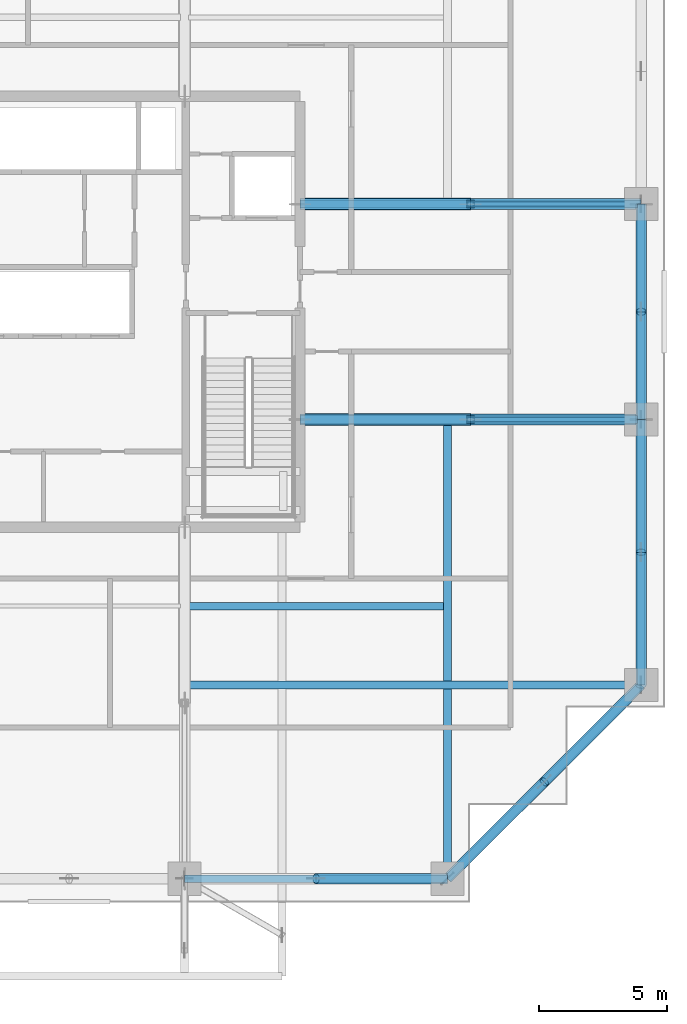
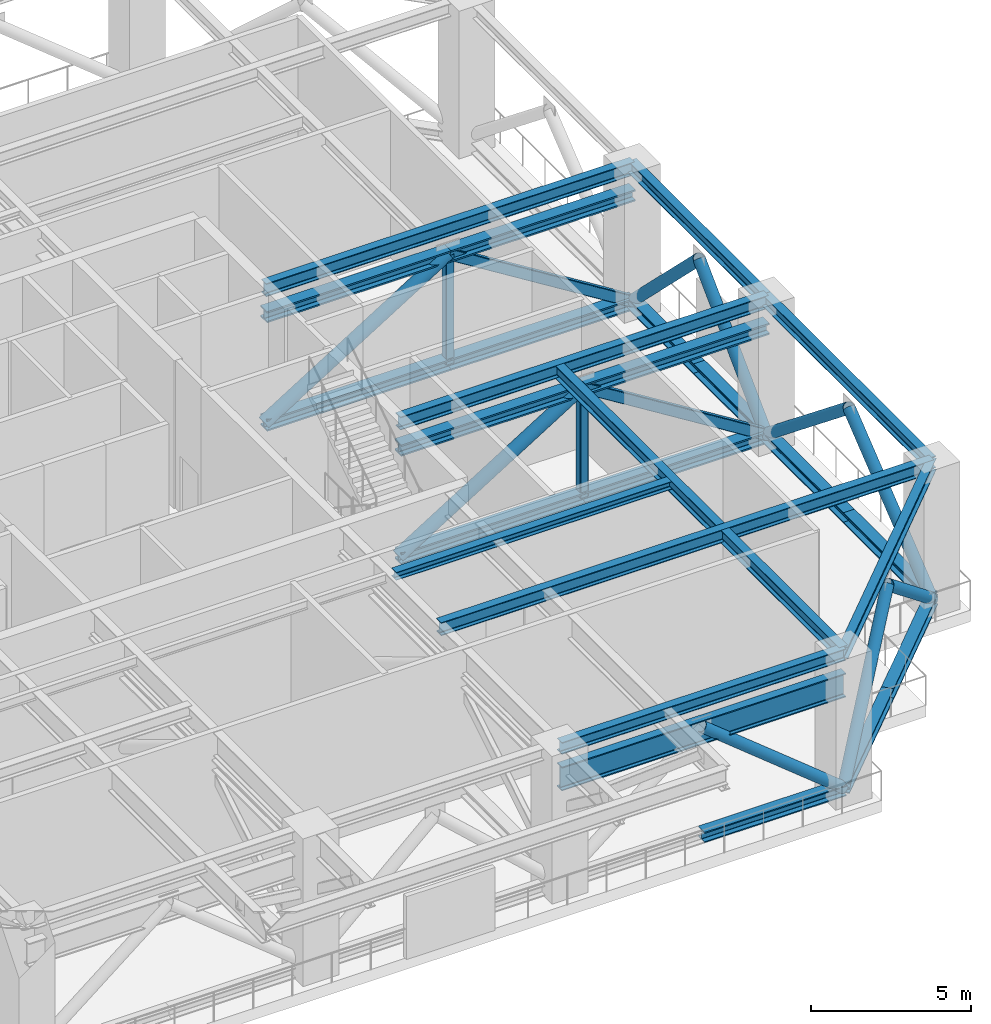
# One storey, part 4 of 22: 28 members, 10 beams.
"""IFC4 building model written with IfcOpenShell, lengths in metres."""

from ifc_helpers import new_model, si_unit, direction, frame, origin, origin_2d, place, context, subcontext, project, spatial, hollow_rectangle, hollow_circle, i_section, extrude, source, transform, mapped, material, material_profile, profile_set, type_object, element, save


model = new_model("IFC4")

# Units and contexts
model_context = context("Model", 3, precision=1e-05, world=origin(), true_north=direction((0.0, 1.0)))
body_context = subcontext(model_context, "Body", "Model", "MODEL_VIEW")
ifc_project = project(units=[si_unit("LENGTHUNIT", "METRE"), si_unit("AREAUNIT", "SQUARE_METRE"), si_unit("VOLUMEUNIT", "CUBIC_METRE"), si_unit("PLANEANGLEUNIT", "RADIAN"), si_unit("MASSUNIT", "GRAM", prefix="KILO")], contexts=[model_context])

# Site, building, storey
site_placement = place(None, origin())
site = spatial("IfcSite", under=ifc_project, at=site_placement, CompositionType="ELEMENT")
building_placement = place(site_placement, origin())
building = spatial("IfcBuilding", under=site, at=building_placement, Name="Serunith Strait Residences", CompositionType="ELEMENT")
storey_placement = place(building_placement, frame((0.0, 0.0, 198.89990234375)))
storey = spatial("IfcBuildingStorey", under=building, at=storey_placement, Name="L50", CompositionType="ELEMENT", Elevation=198.89990234375)

# Beams
ifc_material_1 = material(Name="Steel S355J2", Category="steel")
ifc_material_profile_1 = material_profile(ifc_material_1, i_section(OverallWidth=0.300048828125, OverallDepth=0.449951171875, WebThickness=0.013916015625, FlangeThickness=0.02587890625, FilletRadius=0.027099609375, at=origin_2d()), Name="HEB 450")
ifc_profile_set_1 = profile_set([ifc_material_profile_1], Name="Steel S355J2")
beam_type_1 = type_object("IfcBeamType", Name="BM-HEB450", PredefinedType="BEAM", material=ifc_profile_set_1)
shared_shape_1 = source(origin(), body_context, "Body", "SweptSolid", [
    extrude(i_section(OverallWidth=0.300048828125, OverallDepth=0.449951171875, WebThickness=0.013916015625, FlangeThickness=0.02587890625, FilletRadius=0.027099609375, at=origin_2d()), origin(), (0.0, 0.0, 1.0), 8.39990234375),
])
beam_1_placement = place(storey_placement, frame((54.699951171875, 21.0, 5.412109375), z_axis=(0.0, 1.0, 0.0), x_axis=(-1.0, 0.0, 0.0)))
element("IfcBeam", 1, at=beam_1_placement, inside=storey, type_object=beam_type_1, Name="L50 Perimeter Ring Beam 06", PredefinedType="BEAM", context=body_context, shape_type="MappedRepresentation", body=[
    mapped(shared_shape_1, transform((0.0, 0.0, 0.0), scale=1.0)),
])
ifc_material_profile_2 = material_profile(ifc_material_1, i_section(OverallWidth=0.300048828125, OverallDepth=0.5, WebThickness=0.014404296875, FlangeThickness=0.028076171875, FilletRadius=0.027099609375, at=origin_2d()), Name="HEB 500")
ifc_profile_set_2 = profile_set([ifc_material_profile_2], Name="Steel S355J2")
beam_type_2 = type_object("IfcBeamType", Name="BM-HEB500", PredefinedType="BEAM", material=ifc_profile_set_2)
shared_shape_2 = source(origin(), body_context, "Body", "SweptSolid", [
    extrude(i_section(OverallWidth=0.300048828125, OverallDepth=0.5, WebThickness=0.014404296875, FlangeThickness=0.028076171875, FilletRadius=0.027099609375, at=origin_2d()), origin(), (0.0, 0.0, 1.0), 13.300048828125),
])
for number, where, z_axis, x_axis, name in (
    (2, (41.39990234375, 21.0, 5.38720703125), (1.0, 0.0, 0.0), (0.0, 1.0, 0.0), "L50 Primary Floor Girder TC-E2"),
    (3, (41.39990234375, 29.39990234375, 5.38720703125), (1.0, 0.0, 0.0), (0.0, 1.0, 0.0), "L50 Primary Floor Girder TC-E3"),
):
    element("IfcBeam", number, at=place(storey_placement, frame(where, z_axis=z_axis, x_axis=x_axis)), inside=storey, type_object=beam_type_2, Name=name, PredefinedType="BEAM", context=body_context, shape_type="MappedRepresentation", body=[
        mapped(shared_shape_2, transform((0.0, 0.0, 0.0), scale=1.0)),
    ])
shared_shape_3 = source(origin(), body_context, "Body", "SweptSolid", [
    extrude(i_section(OverallWidth=0.300048828125, OverallDepth=0.5, WebThickness=0.014404296875, FlangeThickness=0.028076171875, FilletRadius=0.027099609375, at=origin_2d()), origin(), (0.0, 0.0, 1.0), 17.89990234375),
])
beam_2_placement = place(storey_placement, frame((47.14990234375, 21.0, 5.38720703125), z_axis=(0.0, -1.0, 0.0), x_axis=(1.0, 0.0, 0.0)))
element("IfcBeam", 4, at=beam_2_placement, inside=storey, type_object=beam_type_2, Name="L50 Orthogonal Corner Girder TC-S4", PredefinedType="BEAM", context=body_context, shape_type="MappedRepresentation", body=[
    mapped(shared_shape_3, transform((0.0, 0.0, 0.0), scale=1.0)),
])
shared_shape_4 = source(origin(), body_context, "Body", "SweptSolid", [
    extrude(i_section(OverallWidth=0.300048828125, OverallDepth=0.5, WebThickness=0.014404296875, FlangeThickness=0.028076171875, FilletRadius=0.027099609375, at=origin_2d()), origin(), (0.0, 0.0, 1.0), 17.800048828125),
])
beam_3_placement = place(storey_placement, frame((36.89990234375, 10.64990234375, 5.38720703125), z_axis=(1.0, 0.0, 0.0), x_axis=(0.0, 1.0, 0.0)))
element("IfcBeam", 5, at=beam_3_placement, inside=storey, type_object=beam_type_2, Name="L50 Orthogonal Corner Girder TC-E1", PredefinedType="BEAM", context=body_context, shape_type="MappedRepresentation", body=[
    mapped(shared_shape_4, transform((0.0, 0.0, 0.0), scale=1.0)),
])
shared_shape_5 = source(origin(), body_context, "Body", "SweptSolid", [
    extrude(i_section(OverallWidth=0.300048828125, OverallDepth=0.449951171875, WebThickness=0.013916015625, FlangeThickness=0.02587890625, FilletRadius=0.027099609375, at=origin_2d()), origin(), (0.0, 0.0, 1.0), 10.25),
])
beam_4_placement = place(storey_placement, frame((36.89990234375, 3.10009765625, 5.412109375), z_axis=(1.0, 0.0, 0.0), x_axis=(0.0, 1.0, 0.0)))
element("IfcBeam", 6, at=beam_4_placement, inside=storey, type_object=beam_type_1, Name="L50 Perimeter Ring Beam 03", PredefinedType="BEAM", context=body_context, shape_type="MappedRepresentation", body=[
    mapped(shared_shape_5, transform((0.0, 0.0, 0.0), scale=1.0)),
])
shared_shape_6 = source(origin(), body_context, "Body", "SweptSolid", [
    extrude(i_section(OverallWidth=0.300048828125, OverallDepth=0.449951171875, WebThickness=0.013916015625, FlangeThickness=0.02587890625, FilletRadius=0.027099609375, at=origin_2d()), origin(), (0.0, 0.0, 1.0), 10.67724609375),
])
beam_5_placement = place(storey_placement, frame((47.14990234375, 3.10009765625, 5.412109375), z_axis=(0.707118213887, 0.707095348302, 0.0), x_axis=(-0.707095348302, 0.707118213887, 0.0)))
element("IfcBeam", 7, at=beam_5_placement, inside=storey, type_object=beam_type_1, Name="L50 Perimeter Ring Beam 04", PredefinedType="BEAM", context=body_context, shape_type="MappedRepresentation", body=[
    mapped(shared_shape_6, transform((0.0, 0.0, 0.0), scale=1.0)),
])
shared_shape_7 = source(origin(), body_context, "Body", "SweptSolid", [
    extrude(i_section(OverallWidth=0.300048828125, OverallDepth=0.449951171875, WebThickness=0.013916015625, FlangeThickness=0.02587890625, FilletRadius=0.027099609375, at=origin_2d()), origin(), (0.0, 0.0, 1.0), 10.35009765625),
])
beam_6_placement = place(storey_placement, frame((54.699951171875, 10.64990234375, 5.412109375), z_axis=(0.0, 1.0, 0.0), x_axis=(-1.0, 0.0, 0.0)))
element("IfcBeam", 8, at=beam_6_placement, inside=storey, type_object=beam_type_1, Name="L50 Perimeter Ring Beam 05", PredefinedType="BEAM", context=body_context, shape_type="MappedRepresentation", body=[
    mapped(shared_shape_7, transform((0.0, 0.0, 0.0), scale=1.0)),
])
ifc_material_profile_3 = material_profile(ifc_material_1, i_section(OverallWidth=0.300048828125, OverallDepth=0.300048828125, WebThickness=0.010986328125, FlangeThickness=0.01904296875, FilletRadius=0.027099609375, at=origin_2d()), Name="HEB 300")
ifc_profile_set_3 = profile_set([ifc_material_profile_3], Name="Steel S355J2")
beam_type_3 = type_object("IfcBeamType", Name="BM-HEB300", PredefinedType="JOIST", material=ifc_profile_set_3)
shared_shape_8 = source(origin(), body_context, "Body", "SweptSolid", [
    extrude(i_section(OverallWidth=0.300048828125, OverallDepth=0.300048828125, WebThickness=0.010986328125, FlangeThickness=0.01904296875, FilletRadius=0.027099609375, at=origin_2d()), origin(), (0.0, 0.0, 1.0), 9.949951171875),
])
beam_7_placement = place(storey_placement, frame((37.050048828125, 13.72509765625, 5.487060546875), z_axis=(1.0, 0.0, 0.0), x_axis=(0.0, 1.0, 0.0)))
element("IfcBeam", 9, at=beam_7_placement, inside=storey, type_object=beam_type_3, Name="L50 Composite Floor Joist 03", PredefinedType="JOIST", context=body_context, shape_type="MappedRepresentation", body=[
    mapped(shared_shape_8, transform((0.0, 0.0, 0.0), scale=1.0)),
])

# Members
ifc_material_2 = material(Name="Steel S460M", Category="steel")
ifc_material_profile_4 = material_profile(ifc_material_2, hollow_rectangle(XDim=0.300048828125, YDim=0.300048828125, WallThickness=0.012451171875, InnerFilletRadius=0.018798828125, OuterFilletRadius=0.03125, at=origin_2d()), Name="SHS 300x300x12.5")
ifc_profile_set_4 = profile_set([ifc_material_profile_4], Name="Steel S460M")
member_type_1 = type_object("IfcMemberType", Name="MBR-STRUT-SHS300", PredefinedType="STRUT", material=ifc_profile_set_4)
shared_shape_9 = source(origin(), body_context, "Body", "SweptSolid", [
    extrude(hollow_rectangle(XDim=0.300048828125, YDim=0.300048828125, WallThickness=0.012451171875, InnerFilletRadius=0.018798828125, OuterFilletRadius=0.03125, at=origin_2d()), origin(), (0.0, 0.0, 1.0), 4.14013671875),
])
for number, where, z_axis, x_axis, name in (
    (10, (48.050048828125, 21.0, 0.25), (0.0, 0.0, 1.0), (1.0, 0.0, 0.0), "L50 Outrigger Arm 5 Mid Post"),
    (11, (48.050048828125, 29.39990234375, 0.25), (0.0, 0.0, 1.0), (1.0, 0.0, 0.0), "L50 Outrigger Arm 6 Mid Post"),
):
    element("IfcMember", number, at=place(storey_placement, frame(where, z_axis=z_axis, x_axis=x_axis)), inside=storey, type_object=member_type_1, Name=name, PredefinedType="STRUT", context=body_context, shape_type="MappedRepresentation", body=[
        mapped(shared_shape_9, transform((0.0, 0.0, 0.0), scale=1.0)),
    ])
ifc_material_profile_5 = material_profile(ifc_material_2, i_section(OverallWidth=0.412109375, OverallDepth=0.43505859375, WebThickness=0.035888671875, FlangeThickness=0.057373046875, FilletRadius=0.014892578125, at=origin_2d()), Name="HD 400x463")
ifc_profile_set_5 = profile_set([ifc_material_profile_5], Name="Steel S460M")
member_type_2 = type_object("IfcMemberType", Name="MBR-CHORD-HD463", PredefinedType="CHORD", material=ifc_profile_set_5)
shared_shape_10 = source(origin(), body_context, "Body", "SweptSolid", [
    extrude(i_section(OverallWidth=0.412109375, OverallDepth=0.43505859375, WebThickness=0.035888671875, FlangeThickness=0.057373046875, FilletRadius=0.014892578125, at=origin_2d()), origin(), (0.0, 0.0, 1.0), 6.650146484375),
])
for number, where, z_axis, x_axis, name in (
    (12, (41.39990234375, 21.0, 0.25), (1.0, 0.0, 0.0), (0.0, 1.0, 0.0), "L50 Outrigger Arm 5 Bottom Chord 1"),
    (13, (41.39990234375, 21.0, 4.39013671875), (1.0, 0.0, 0.0), (0.0, 1.0, 0.0), "L50 Outrigger Arm 5 Top Chord 1"),
    (14, (41.39990234375, 29.39990234375, 0.25), (1.0, 0.0, 0.0), (0.0, 1.0, 0.0), "L50 Outrigger Arm 6 Bottom Chord 1"),
    (15, (41.39990234375, 29.39990234375, 4.39013671875), (1.0, 0.0, 0.0), (0.0, 1.0, 0.0), "L50 Outrigger Arm 6 Top Chord 1"),
):
    element("IfcMember", number, at=place(storey_placement, frame(where, z_axis=z_axis, x_axis=x_axis)), inside=storey, type_object=member_type_2, Name=name, PredefinedType="CHORD", context=body_context, shape_type="MappedRepresentation", body=[
        mapped(shared_shape_10, transform((0.0, 0.0, 0.0), scale=1.0)),
    ])
shared_shape_11 = source(origin(), body_context, "Body", "SweptSolid", [
    extrude(i_section(OverallWidth=0.412109375, OverallDepth=0.43505859375, WebThickness=0.035888671875, FlangeThickness=0.057373046875, FilletRadius=0.014892578125, at=origin_2d()), origin(), (0.0, 0.0, 1.0), 6.64990234375),
])
for number, where, z_axis, x_axis, name in (
    (16, (48.050048828125, 21.0, 0.25), (1.0, 0.0, 0.0), (0.0, 1.0, 0.0), "L50 Outrigger Arm 5 Bottom Chord 2"),
    (17, (48.050048828125, 21.0, 4.39013671875), (1.0, 0.0, 0.0), (0.0, 1.0, 0.0), "L50 Outrigger Arm 5 Top Chord 2"),
    (18, (48.050048828125, 29.39990234375, 0.25), (1.0, 0.0, 0.0), (0.0, 1.0, 0.0), "L50 Outrigger Arm 6 Bottom Chord 2"),
    (19, (48.050048828125, 29.39990234375, 4.39013671875), (1.0, 0.0, 0.0), (0.0, 1.0, 0.0), "L50 Outrigger Arm 6 Top Chord 2"),
):
    element("IfcMember", number, at=place(storey_placement, frame(where, z_axis=z_axis, x_axis=x_axis)), inside=storey, type_object=member_type_2, Name=name, PredefinedType="CHORD", context=body_context, shape_type="MappedRepresentation", body=[
        mapped(shared_shape_11, transform((0.0, 0.0, 0.0), scale=1.0)),
    ])
ifc_material_profile_6 = material_profile(ifc_material_2, hollow_circle(Radius=0.228515625, WallThickness=0.01611328125, at=origin_2d()), Name="CHS 457x16")
ifc_profile_set_6 = profile_set([ifc_material_profile_6], Name="Steel S460M")
member_type_3 = type_object("IfcMemberType", Name="MBR-DIAG-CHS457", PredefinedType="BRACE", material=ifc_profile_set_6)
shared_shape_12 = source(origin(), body_context, "Body", "SweptSolid", [
    extrude(hollow_circle(Radius=0.228515625, WallThickness=0.01611328125, at=origin_2d()), origin(), (0.0, 0.0, 1.0), 7.83349609375),
])
for number, where, z_axis, x_axis, name in (
    (20, (41.39990234375, 21.0, 0.25), (0.848926722245, 0.0, 0.528510567783), (0.0, 1.0, 0.0), "L50 Outrigger Arm 5 Inner Diagonal"),
    (21, (41.39990234375, 29.39990234375, 0.25), (0.848926722245, 0.0, 0.528510567783), (0.0, 1.0, 0.0), "L50 Outrigger Arm 6 Inner Diagonal"),
):
    element("IfcMember", number, at=place(storey_placement, frame(where, z_axis=z_axis, x_axis=x_axis)), inside=storey, type_object=member_type_3, Name=name, PredefinedType="BRACE", context=body_context, shape_type="MappedRepresentation", body=[
        mapped(shared_shape_12, transform((0.0, 0.0, 0.0), scale=1.0)),
    ])
ifc_material_profile_7 = material_profile(ifc_material_2, hollow_rectangle(XDim=0.199951171875, YDim=0.39990234375, WallThickness=0.01611328125, InnerFilletRadius=0.02392578125, OuterFilletRadius=0.0400390625, at=origin_2d()), Name="RHS 400x200x16")
ifc_profile_set_7 = profile_set([ifc_material_profile_7], Name="Steel S460M")
member_type_4 = type_object("IfcMemberType", Name="MBR-BRACE-RHS400", PredefinedType="BRACE", material=ifc_profile_set_7)
shared_shape_13 = source(origin(), body_context, "Body", "SweptSolid", [
    extrude(hollow_rectangle(XDim=0.199951171875, YDim=0.39990234375, WallThickness=0.01611328125, InnerFilletRadius=0.02392578125, OuterFilletRadius=0.0400390625, at=origin_2d()), origin(), (0.0, 0.0, 1.0), 7.83349609375),
])
for number, where, z_axis, x_axis, name in (
    (22, (48.050048828125, 21.0, 4.39013671875), (0.848918016547, 0.0, -0.528524551164), (0.0, 1.0, 0.0), "L50 Outrigger Arm 5 Outer Diagonal"),
    (23, (48.050048828125, 29.39990234375, 4.39013671875), (0.848918016547, 0.0, -0.528524551164), (0.0, 1.0, 0.0), "L50 Outrigger Arm 6 Outer Diagonal"),
):
    element("IfcMember", number, at=place(storey_placement, frame(where, z_axis=z_axis, x_axis=x_axis)), inside=storey, type_object=member_type_4, Name=name, PredefinedType="BRACE", context=body_context, shape_type="MappedRepresentation", body=[
        mapped(shared_shape_13, transform((0.0, 0.0, 0.0), scale=1.0)),
    ])
ifc_material_profile_8 = material_profile(ifc_material_2, i_section(OverallWidth=0.40087890625, OverallDepth=0.39892578125, WebThickness=0.02490234375, FlangeThickness=0.03955078125, FilletRadius=0.014892578125, at=origin_2d()), Name="HD 400x314")
ifc_profile_set_8 = profile_set([ifc_material_profile_8], Name="Steel S460M")
member_type_5 = type_object("IfcMemberType", Name="MBR-CHORD-HD314", PredefinedType="CHORD", material=ifc_profile_set_8)
shared_shape_14 = source(origin(), body_context, "Body", "SweptSolid", [
    extrude(i_section(OverallWidth=0.40087890625, OverallDepth=0.39892578125, WebThickness=0.02490234375, FlangeThickness=0.03955078125, FilletRadius=0.014892578125, at=origin_2d()), origin(), (0.0, 0.0, 1.0), 5.125),
])
member_1_placement = place(storey_placement, frame((42.02490234375, 3.10009765625, 0.25), z_axis=(1.0, 0.0, 0.0), x_axis=(0.0, 1.0, 0.0)))
element("IfcMember", 24, at=member_1_placement, inside=storey, type_object=member_type_5, Name="L50 Belt Truss Bay 03 Chord B", PredefinedType="CHORD", context=body_context, shape_type="MappedRepresentation", body=[
    mapped(shared_shape_14, transform((0.0, 0.0, 0.0), scale=1.0)),
])
ifc_material_profile_9 = material_profile(ifc_material_2, hollow_circle(Radius=0.203125, WallThickness=0.01611328125, at=origin_2d()), Name="CHS 406.4x16")
ifc_profile_set_9 = profile_set([ifc_material_profile_9], Name="Steel S460M")
member_type_6 = type_object("IfcMemberType", Name="MBR-DIAG-CHS406", PredefinedType="BRACE", material=ifc_profile_set_9)
shared_shape_15 = source(origin(), body_context, "Body", "SweptSolid", [
    extrude(hollow_circle(Radius=0.203125, WallThickness=0.01611328125, at=origin_2d()), origin(), (0.0, 0.0, 1.0), 6.58837890625),
])
member_2_placement = place(storey_placement, frame((47.14990234375, 3.10009765625, 0.25), z_axis=(-0.77788823023, 0.0, 0.628402658548), x_axis=(0.0, -1.0, 0.0)))
element("IfcMember", 25, at=member_2_placement, inside=storey, type_object=member_type_6, Name="L50 Belt Truss Bay 03 Diagonal 2", PredefinedType="BRACE", context=body_context, shape_type="MappedRepresentation", body=[
    mapped(shared_shape_15, transform((0.0, 0.0, 0.0), scale=1.0)),
])
shared_shape_16 = source(origin(), body_context, "Body", "SweptSolid", [
    extrude(i_section(OverallWidth=0.40087890625, OverallDepth=0.39892578125, WebThickness=0.02490234375, FlangeThickness=0.03955078125, FilletRadius=0.014892578125, at=origin_2d()), origin(), (0.0, 0.0, 1.0), 5.338623046875),
])
for number, where, z_axis, x_axis, name in (
    (26, (47.14990234375, 3.10009765625, 0.25), (0.707129646032, 0.707083915602, 0.0), (-0.707083915602, 0.707129646032, 0.0), "L50 Belt Truss Bay 04 Chord A"),
    (27, (50.925048828125, 6.875, 0.25), (0.707106781187, 0.707106781187, 0.0), (-0.707106781187, 0.707106781187, 0.0), "L50 Belt Truss Bay 04 Chord B"),
):
    element("IfcMember", number, at=place(storey_placement, frame(where, z_axis=z_axis, x_axis=x_axis)), inside=storey, type_object=member_type_5, Name=name, PredefinedType="CHORD", context=body_context, shape_type="MappedRepresentation", body=[
        mapped(shared_shape_16, transform((0.0, 0.0, 0.0), scale=1.0)),
    ])
shared_shape_17 = source(origin(), body_context, "Body", "SweptSolid", [
    extrude(hollow_circle(Radius=0.203125, WallThickness=0.01611328125, at=origin_2d()), origin(), (0.0, 0.0, 1.0), 6.755859375),
])
for number, where, z_axis, x_axis, name in (
    (28, (47.14990234375, 3.10009765625, 0.25), (0.558791518893, 0.558755381564, 0.612816825803), (-0.707083915602, 0.707129646032, 0.0), "L50 Belt Truss Bay 04 Diagonal 1"),
    (29, (54.699951171875, 10.64990234375, 0.25), (-0.558766664618, -0.558766664618, 0.61282920053), (0.707106781187, -0.707106781187, 0.0), "L50 Belt Truss Bay 04 Diagonal 2"),
):
    element("IfcMember", number, at=place(storey_placement, frame(where, z_axis=z_axis, x_axis=x_axis)), inside=storey, type_object=member_type_6, Name=name, PredefinedType="BRACE", context=body_context, shape_type="MappedRepresentation", body=[
        mapped(shared_shape_17, transform((0.0, 0.0, 0.0), scale=1.0)),
    ])
shared_shape_18 = source(origin(), body_context, "Body", "SweptSolid", [
    extrude(i_section(OverallWidth=0.40087890625, OverallDepth=0.39892578125, WebThickness=0.02490234375, FlangeThickness=0.03955078125, FilletRadius=0.014892578125, at=origin_2d()), origin(), (0.0, 0.0, 1.0), 5.175048828125),
])
for number, where, z_axis, x_axis, name in (
    (30, (54.699951171875, 10.64990234375, 0.25), (0.0, 1.0, 0.0), (-1.0, 0.0, 0.0), "L50 Belt Truss Bay 05 Chord A"),
    (31, (54.699951171875, 15.824951171875, 0.25), (0.0, 1.0, 0.0), (-1.0, 0.0, 0.0), "L50 Belt Truss Bay 05 Chord B"),
):
    element("IfcMember", number, at=place(storey_placement, frame(where, z_axis=z_axis, x_axis=x_axis)), inside=storey, type_object=member_type_5, Name=name, PredefinedType="CHORD", context=body_context, shape_type="MappedRepresentation", body=[
        mapped(shared_shape_18, transform((0.0, 0.0, 0.0), scale=1.0)),
    ])
shared_shape_19 = source(origin(), body_context, "Body", "SweptSolid", [
    extrude(hollow_circle(Radius=0.203125, WallThickness=0.01611328125, at=origin_2d()), origin(), (0.0, 0.0, 1.0), 6.62744140625),
])
for number, where, z_axis, x_axis, name in (
    (32, (54.699951171875, 10.64990234375, 0.25), (0.0, 0.780861621429, 0.624704032466), (-1.0, 0.0, 0.0), "L50 Belt Truss Bay 05 Diagonal 1"),
    (33, (54.699951171875, 21.0, 0.25), (0.0, -0.780861621429, 0.624704032466), (1.0, 0.0, 0.0), "L50 Belt Truss Bay 05 Diagonal 2"),
):
    element("IfcMember", number, at=place(storey_placement, frame(where, z_axis=z_axis, x_axis=x_axis)), inside=storey, type_object=member_type_6, Name=name, PredefinedType="BRACE", context=body_context, shape_type="MappedRepresentation", body=[
        mapped(shared_shape_19, transform((0.0, 0.0, 0.0), scale=1.0)),
    ])
shared_shape_20 = source(origin(), body_context, "Body", "SweptSolid", [
    extrude(i_section(OverallWidth=0.40087890625, OverallDepth=0.39892578125, WebThickness=0.02490234375, FlangeThickness=0.03955078125, FilletRadius=0.014892578125, at=origin_2d()), origin(), (0.0, 0.0, 1.0), 4.199951171875),
])
for number, where, z_axis, x_axis, name in (
    (34, (54.699951171875, 21.0, 0.25), (0.0, 1.0, 0.0), (-1.0, 0.0, 0.0), "L50 Belt Truss Bay 06 Chord A"),
    (35, (54.699951171875, 25.199951171875, 0.25), (0.0, 1.0, 0.0), (-1.0, 0.0, 0.0), "L50 Belt Truss Bay 06 Chord B"),
):
    element("IfcMember", number, at=place(storey_placement, frame(where, z_axis=z_axis, x_axis=x_axis)), inside=storey, type_object=member_type_5, Name=name, PredefinedType="CHORD", context=body_context, shape_type="MappedRepresentation", body=[
        mapped(shared_shape_20, transform((0.0, 0.0, 0.0), scale=1.0)),
    ])
shared_shape_21 = source(origin(), body_context, "Body", "SweptSolid", [
    extrude(hollow_circle(Radius=0.203125, WallThickness=0.01611328125, at=origin_2d()), origin(), (0.0, 0.0, 1.0), 5.8974609375),
])
for number, where, z_axis, x_axis, name in (
    (36, (54.699951171875, 21.0, 0.25), (0.0, 0.712159780048, 0.702017412663), (-1.0, 0.0, 0.0), "L50 Belt Truss Bay 06 Diagonal 1"),
    (37, (54.699951171875, 29.39990234375, 0.25), (0.0, -0.712159780048, 0.702017412663), (1.0, 0.0, 0.0), "L50 Belt Truss Bay 06 Diagonal 2"),
):
    element("IfcMember", number, at=place(storey_placement, frame(where, z_axis=z_axis, x_axis=x_axis)), inside=storey, type_object=member_type_6, Name=name, PredefinedType="BRACE", context=body_context, shape_type="MappedRepresentation", body=[
        mapped(shared_shape_21, transform((0.0, 0.0, 0.0), scale=1.0)),
    ])

# Beam
ifc_material_profile_10 = material_profile(ifc_material_2, i_section(OverallWidth=0.302001953125, OverallDepth=0.909912109375, WebThickness=0.02099609375, FlangeThickness=0.0400390625, FilletRadius=0.027099609375, at=origin_2d()), Name="HEM 900")
ifc_profile_set_10 = profile_set([ifc_material_profile_10], Name="Steel S460M")
beam_type_4 = type_object("IfcBeamType", Name="BM-HEM900", PredefinedType="BEAM", material=ifc_profile_set_10)
shared_shape_22 = source(origin(), body_context, "Body", "SweptSolid", [
    extrude(i_section(OverallWidth=0.302001953125, OverallDepth=0.909912109375, WebThickness=0.02099609375, FlangeThickness=0.0400390625, FilletRadius=0.027099609375, at=origin_2d()), origin(), (0.0, 0.0, 1.0), 10.25),
])
beam_8_placement = place(storey_placement, frame((36.89990234375, 3.10009765625, 4.2470703125), z_axis=(1.0, 0.0, 0.0), x_axis=(0.0, 1.0, 0.0)))
element("IfcBeam", 38, at=beam_8_placement, inside=storey, type_object=beam_type_4, Name="L50 Sky Pool Support Header 02", PredefinedType="BEAM", context=body_context, shape_type="MappedRepresentation", body=[
    mapped(shared_shape_22, transform((0.0, 0.0, 0.0), scale=1.0)),
])

save(model, "model.ifc")
